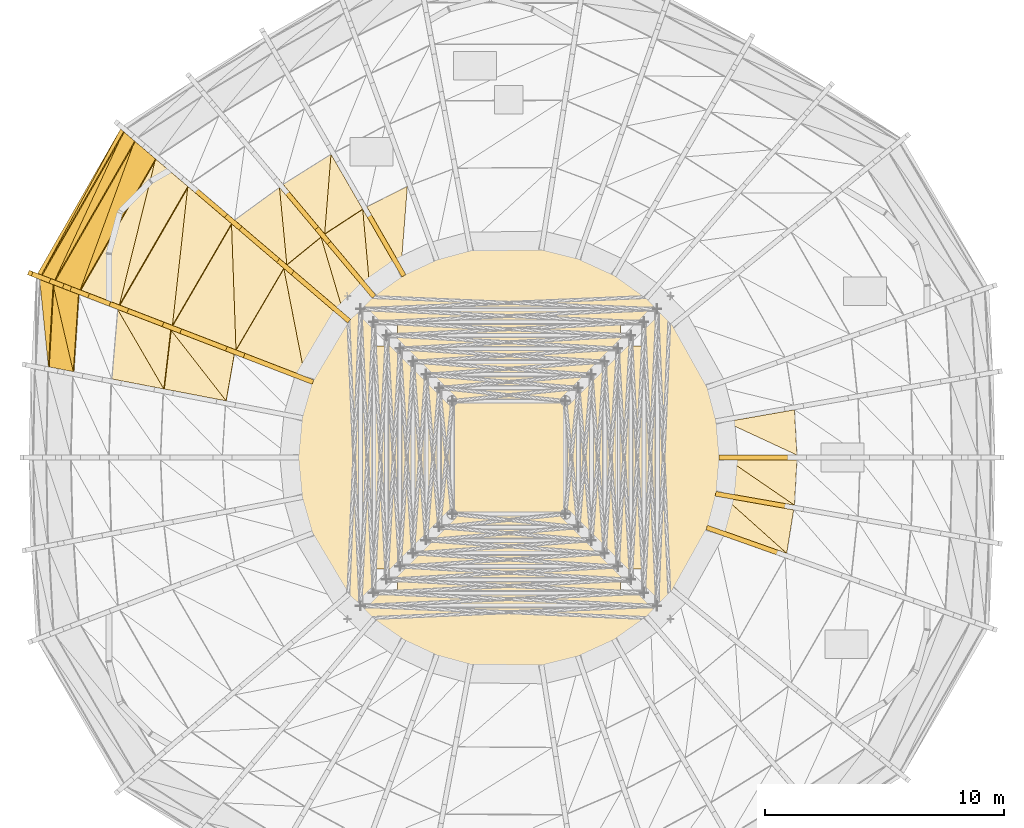
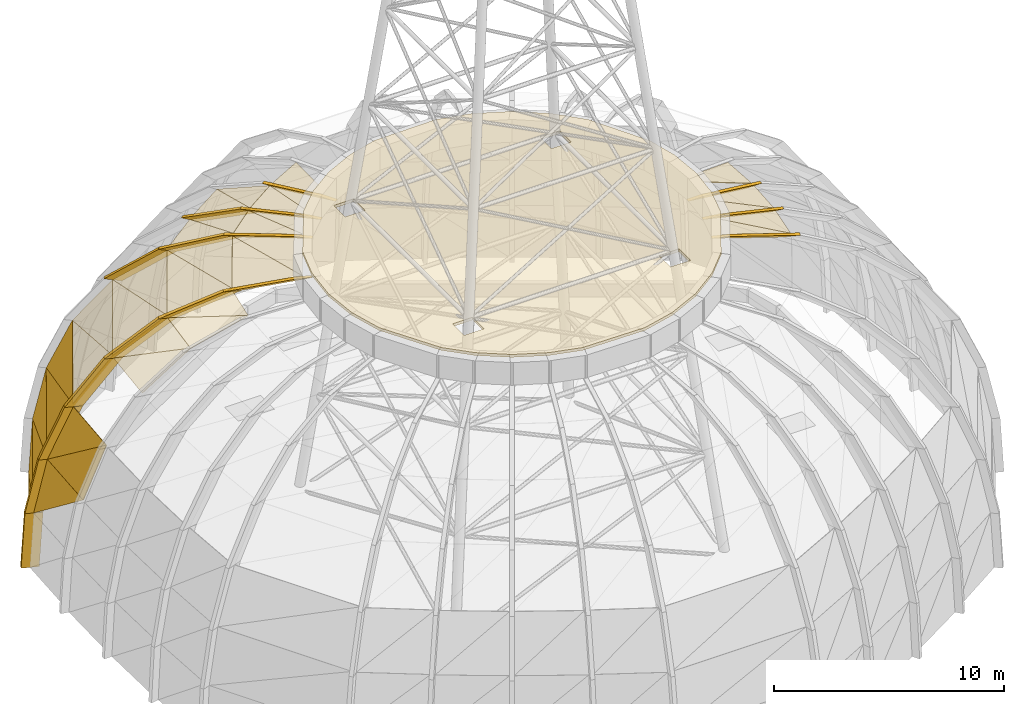
# One storey, part 21 of 27: 36 coverings, 16 shading devices.
"""IFC4 building model written with IfcOpenShell, lengths in metres."""

import ifcopenshell
import ifcopenshell.guid

model = None  # the IFC model being written
_history = None  # IfcOwnerHistory: only IFC2X3 demands one
_inside = {}  # id of a spatial element -> (the spatial element, [elements in it])
_under = {}  # id of a project, library or spatial element -> (it, [spatial elements below it])
_declared = {}  # id of a project -> (the project, [libraries it declares])
_typed = {}  # id of a type object -> (the type object, [elements of that type])
_made_of = {}  # id of a material, layer set ... -> (it, [elements and type objects made of it])


def new_model(schema):
    """Start an empty IFC model of exactly this schema.

    Asked for "IFC4X3", IfcOpenShell would pick the latest addendum, in which some entities
    have other attributes; the version numbers below select the first issue.
    IFC2X3 requires an IfcOwnerHistory on every rooted entity: one is made here for all.
    """
    global model, _history
    if schema == "IFC4X3":
        model = ifcopenshell.file(schema_version=(4, 3, 0, 0))
    else:
        model = ifcopenshell.file(schema=schema)
    _inside.clear()
    _under.clear()
    _declared.clear()
    _typed.clear()
    _made_of.clear()
    _history = None
    if model.schema == "IFC2X3":
        org = make("IfcOrganization", Name="unknown")
        user = make(
            "IfcPersonAndOrganization",
            ThePerson=make("IfcPerson", FamilyName="unknown"),
            TheOrganization=org,
        )
        app = make(
            "IfcApplication",
            ApplicationDeveloper=org,
            Version="unknown",
            ApplicationFullName="unknown",
            ApplicationIdentifier="unknown",
        )
        _history = make(
            "IfcOwnerHistory",
            OwningUser=user,
            OwningApplication=app,
            ChangeAction="ADDED",
            CreationDate=0,
        )
    return model


def make(cls, **values):
    """One entity of the class cls with the attributes given. An attribute that is None is left unset."""
    return model.create_entity(
        cls, **{name: value for name, value in values.items() if value is not None}
    )


def rooted(cls, **values):
    """An entity with a GlobalId (a new one), such as an element, a storey or a relation."""
    return make(cls, GlobalId=ifcopenshell.guid.new(), OwnerHistory=_history, **values)


def si_unit(unit_type, name, prefix=None):
    """IfcSIUnit, for example si_unit("LENGTHUNIT", "METRE", prefix="MILLI")."""
    return make("IfcSIUnit", UnitType=unit_type, Prefix=prefix, Name=name)


def assignment(units):
    """IfcUnitAssignment: the units of a project."""
    return None if units is None else make("IfcUnitAssignment", Units=units)


def point(xyz):
    """IfcCartesianPoint."""
    return None if xyz is None else make("IfcCartesianPoint", Coordinates=xyz)


def direction(xyz):
    """IfcDirection."""
    return None if xyz is None else make("IfcDirection", DirectionRatios=xyz)


def frame(location, z_axis=None, x_axis=None):
    """IfcAxis2Placement3D, a coordinate frame: its origin and axes. An axis left out is left unset."""
    return make(
        "IfcAxis2Placement3D",
        Location=point(location),
        Axis=direction(z_axis),
        RefDirection=direction(x_axis),
    )


def origin():
    """The frame at (0, 0, 0) with its axes left unset."""
    return frame((0.0, 0.0, 0.0))


def place(relative_to, where):
    """IfcLocalPlacement: puts the frame where relative to a parent placement (None: the world)."""
    return make(
        "IfcLocalPlacement", PlacementRelTo=relative_to, RelativePlacement=where
    )


def context(
    kind, dimensions, precision=None, world=None, true_north=None, identifier=None
):
    """IfcGeometricRepresentationContext, for example the 3D "Model" context."""
    return make(
        "IfcGeometricRepresentationContext",
        ContextIdentifier=identifier,
        ContextType=kind,
        CoordinateSpaceDimension=dimensions,
        Precision=precision,
        WorldCoordinateSystem=world,
        TrueNorth=true_north,
    )


def subcontext(parent, identifier, kind, view, scale=None):
    """IfcGeometricRepresentationSubContext, for example "Body" below "Model"."""
    return make(
        "IfcGeometricRepresentationSubContext",
        ContextIdentifier=identifier,
        ContextType=kind,
        ParentContext=parent,
        TargetScale=scale,
        TargetView=view,
    )


def project(units=None, contexts=None):
    """IfcProject with its units and contexts."""
    return rooted(
        "IfcProject",
        Name="project",
        RepresentationContexts=contexts,
        UnitsInContext=assignment(units),
    )


def spatial(cls, under=None, at=None, **own):
    """A site, building, storey or space (cls), placed at a placement, below another one or the project."""
    s = rooted(cls, ObjectPlacement=at, **own)
    if under is not None:
        _under.setdefault(under.id(), (under, []))[1].append(s)
    return s


def polyline(points):
    """IfcPolyline through the points."""
    return make("IfcPolyline", Points=[point(p) for p in points])


def outline(outer, holes=None, kind="AREA"):
    """IfcArbitraryClosedProfileDef: a profile drawn as a closed curve; with holes, ...WithVoids."""
    if holes is None:
        return make("IfcArbitraryClosedProfileDef", ProfileType=kind, OuterCurve=outer)
    return make(
        "IfcArbitraryProfileDefWithVoids",
        ProfileType=kind,
        OuterCurve=outer,
        InnerCurves=holes,
    )


def extrude(swept, where, along, depth):
    """IfcExtrudedAreaSolid: the profile swept, set in the frame where, extruded along a direction by depth."""
    return make(
        "IfcExtrudedAreaSolid",
        SweptArea=swept,
        Position=where,
        ExtrudedDirection=direction(along),
        Depth=depth,
    )


def shape(context_of_items, identifier, shape_type, items):
    """IfcShapeRepresentation: the items that make up one representation, for example the "Body"."""
    return make(
        "IfcShapeRepresentation",
        ContextOfItems=context_of_items,
        RepresentationIdentifier=identifier,
        RepresentationType=shape_type,
        Items=items,
    )


def material(Name=None, Category=None):
    """IfcMaterial."""
    return make("IfcMaterial", Name=Name, Category=Category)


def layer(
    of_material, thickness, ventilated=None, Name=None, Category=None, Priority=None
):
    """IfcMaterialLayer: one layer of a wall or slab, of a material (None: an air gap)."""
    return make(
        "IfcMaterialLayer",
        Material=of_material,
        LayerThickness=thickness,
        IsVentilated=ventilated,
        Name=Name,
        Category=Category,
        Priority=Priority,
    )


def layer_set(layers, Name=None):
    """IfcMaterialLayerSet."""
    return make("IfcMaterialLayerSet", MaterialLayers=layers, LayerSetName=Name)


def made_of(thing, what):
    """Note that an element or type object is made of a material, layer set ...; save() writes the relation."""
    if what is not None:
        _made_of.setdefault(what.id(), (what, []))[1].append(thing)
    return thing


def type_object(cls, material=None, **own):
    """A type object (cls), such as IfcWallType, which elements share."""
    return made_of(rooted(cls, **own), material)


def element(
    cls,
    number,
    at=None,
    inside=None,
    cuts=None,
    type_object=None,
    material=None,
    context=None,
    identifier="Body",
    shape_type=None,
    held_by="IfcProductDefinitionShape",
    body=None,
    shapes=None,
    **own,
):
    """One element of the class cls, such as IfcWall. Its Tag is "e" and its number.

    at: its placement. inside: the storey or other place that contains it. cuts: it is an
    opening in that element (IfcRelVoidsElement). A single representation is given by context,
    identifier, shape_type and body (its items); several are given by shapes. held_by: the class
    of the entity that holds the representations. save() writes the other relations.
    """
    e = rooted(cls, Tag="e%d" % number, ObjectPlacement=at, **own)
    if body is not None:
        shapes = [shape(context, identifier, shape_type, body)]
    if shapes is not None:
        e.Representation = make(held_by, Representations=shapes)
    if inside is not None:
        _inside.setdefault(inside.id(), (inside, []))[1].append(e)
    if cuts is not None:
        rooted(
            "IfcRelVoidsElement", RelatingBuildingElement=cuts, RelatedOpeningElement=e
        )
    if type_object is not None:
        _typed.setdefault(type_object.id(), (type_object, []))[1].append(e)
    return made_of(e, material)


def aggregate(whole, parts):
    """IfcRelAggregates: a whole, such as a stair, and the parts it consists of."""
    return rooted("IfcRelAggregates", RelatingObject=whole, RelatedObjects=parts)


def save(model, path):
    """Write the relations noted so far, then the file.

    IfcRelAggregates (storeys below a building ...), IfcRelContainedInSpatialStructure (elements
    in a storey), IfcRelDefinesByType, IfcRelAssociatesMaterial and IfcRelDeclares: one each for
    every whole, place, type object, material and project.
    """
    for whole, parts in _under.values():
        aggregate(whole, parts)
    for where, things in _inside.values():
        rooted(
            "IfcRelContainedInSpatialStructure",
            RelatedElements=things,
            RelatingStructure=where,
        )
    for kind, things in _typed.values():
        rooted("IfcRelDefinesByType", RelatedObjects=things, RelatingType=kind)
    for what, things in _made_of.values():
        rooted("IfcRelAssociatesMaterial", RelatedObjects=things, RelatingMaterial=what)
    for by, libraries in _declared.values():
        rooted("IfcRelDeclares", RelatingContext=by, RelatedDefinitions=libraries)
    model.write(path)


model = new_model("IFC4")

# Units and contexts
model_context = context("Model", 3, precision=1e-05, world=origin(), true_north=direction((0.0, 1.0)))
body_context = subcontext(model_context, "Body", "Model", "MODEL_VIEW")
ifc_project = project(units=[si_unit("LENGTHUNIT", "METRE"), si_unit("AREAUNIT", "SQUARE_METRE"), si_unit("VOLUMEUNIT", "CUBIC_METRE"), si_unit("PLANEANGLEUNIT", "RADIAN"), si_unit("MASSUNIT", "GRAM", prefix="KILO")], contexts=[model_context])

# Site, building, storey
site_placement = place(None, origin())
site = spatial("IfcSite", under=ifc_project, at=site_placement, CompositionType="ELEMENT")
building_placement = place(site_placement, origin())
building = spatial("IfcBuilding", under=site, at=building_placement, Name="Ayvan Gate Tower", CompositionType="ELEMENT")
storey_placement = place(building_placement, frame((0.0, 0.0, 267.699951171875)))
storey = spatial("IfcBuildingStorey", under=building, at=storey_placement, Name="Roof", CompositionType="ELEMENT", Elevation=267.699951171875)

# Shading devices
ifc_material_1 = material(Name="Bronze anodised aluminium", Category="aluminium")
ifc_layer_1 = layer(ifc_material_1, 0.199951171875)
ifc_layer_set_1 = layer_set([ifc_layer_1], Name="Bronze anodised aluminium")
shading_device_type = type_object("IfcShadingDeviceType", Name="Crown frame rib 800 x 200", PredefinedType="USERDEFINED", material=ifc_layer_set_1)
shading_device_1_placement = place(storey_placement, frame((-5.751708984375, 10.161865234375, 13.673095703125), z_axis=(0.866019519209, 0.499990479994, 0.004439849528), x_axis=(-0.499995405783, 0.86602805624, -5.86703e-07)))
element("IfcShadingDevice", 1, at=shading_device_1_placement, inside=storey, type_object=shading_device_type, Name="CROWN FRAME rib FD07.3.3", ObjectType="FIN", PredefinedType="USERDEFINED", context=body_context, shape_type="SweptSolid", body=[
    extrude(outline(polyline([(0.0, 0.0), (0.7999951411823358, 0.0), (-2.076263670003828, 0.3269063007715082), (-2.876380880377029, 0.3269053619708239), (0.0, 0.0)])), origin(), (0.0, 0.0, -1.0), 0.199951171875),
])
shading_device_2_placement = place(storey_placement, frame((-9.201171875, 11.138427734375, 12.552978515625), z_axis=(0.766415699513, 0.642342429162, 0.00178304159), x_axis=(-0.642343450529, 0.766416917586, 2.08532e-07)))
element("IfcShadingDevice", 2, at=shading_device_2_placement, inside=storey, type_object=shading_device_type, Name="CROWN FRAME rib FD06.3.4", ObjectType="FIN", PredefinedType="USERDEFINED", context=body_context, shape_type="SweptSolid", body=[
    extrude(outline(polyline([(0.0, 0.0), (0.7999525984918686, 0.0), (-1.9096142537914247, 1.1201193662788065), (-2.7094100301518163, 1.1201196998772662), (0.0, 0.0)])), origin(), (0.0, 0.0, -1.0), 0.199951171875),
])
shading_device_3_placement = place(storey_placement, frame((-7.461181640625, 9.0615234375, 13.673095703125), z_axis=(0.766480895989, 0.6422444465, 0.005395092626), x_axis=(-0.642253793616, 0.766492051221, 0.0)))
element("IfcShadingDevice", 3, at=shading_device_3_placement, inside=storey, type_object=shading_device_type, Name="CROWN FRAME rib FD07.3.4", ObjectType="FIN", PredefinedType="USERDEFINED", context=body_context, shape_type="SweptSolid", body=[
    extrude(outline(polyline([(0.0, 0.0), (0.7997957818323822, 4.336808689942018e-19), (-2.137681256967476, 0.3269090545845421), (-2.937477038799858, 0.3269090545845421), (0.0, 0.0)])), origin(), (0.0, 0.0, -1.0), 0.199951171875),
])
shading_device_4_placement = place(storey_placement, frame((-13.013671875, 11.248046875, 10.68701171875), z_axis=(0.64947089541, 0.760385939094, 0.00088297498), x_axis=(-0.76038623545, 0.649471148657, -1.02423e-07)))
element("IfcShadingDevice", 4, at=shading_device_4_placement, inside=storey, type_object=shading_device_type, Name="CROWN FRAME rib FD05.3.5", ObjectType="FIN", PredefinedType="USERDEFINED", context=body_context, shape_type="SweptSolid", body=[
    extrude(outline(polyline([(0.0, 0.0), (0.8001969175372762, -5.421010862427522e-20), (-1.6035691830142307, 1.8659673600293685), (-2.4036075382593545, 1.8659671961290998), (0.0, 0.0)])), origin(), (0.0, 0.0, -1.0), 0.199951171875),
])
shading_device_5_placement = place(storey_placement, frame((-11.18603515625, 9.686767578125, 12.552978515625), z_axis=(0.649546053075, 0.760321348948, 0.001171011737), x_axis=(-0.760321870236, 0.649546498444, -1.9789e-08)))
element("IfcShadingDevice", 5, at=shading_device_5_placement, inside=storey, type_object=shading_device_type, Name="CROWN FRAME rib FD06.3.5", ObjectType="FIN", PredefinedType="USERDEFINED", context=body_context, shape_type="SweptSolid", body=[
    extrude(outline(polyline([(0.0, 0.0), (0.8001969228064789, -1.0842021724855044e-19), (-2.0773640104077593, 1.120117914383122), (-2.877216727069541, 1.120117882720192), (0.0, 0.0)])), origin(), (0.0, 0.0, -1.0), 0.199951171875),
])
shading_device_6_placement = place(storey_placement, frame((-8.998291015625, 7.81787109375, 13.673095703125), z_axis=(0.649708853084, 0.760180720071, 0.001918086872), x_axis=(-0.760182118449, 0.649710048245, 0.0)))
element("IfcShadingDevice", 6, at=shading_device_6_placement, inside=storey, type_object=shading_device_type, Name="CROWN FRAME rib FD07.3.5", ObjectType="FIN", PredefinedType="USERDEFINED", context=body_context, shape_type="SweptSolid", body=[
    extrude(outline(polyline([(0.0, 0.0), (0.8000113158617801, 1.0842021724855044e-19), (-2.3196373596759, 0.326904898226471), (-3.1196486755376807, 0.326904898226471), (0.0, 0.0)])), origin(), (0.0, 0.0, -1.0), 0.199951171875),
])
shading_device_7_placement = place(storey_placement, frame((-19.361572265625, 7.562744140625, 0.0), z_axis=(0.359520933889, 0.933136889104, 0.000494256106), x_axis=(-0.933137003077, 0.359520977815, -2.712e-08)))
element("IfcShadingDevice", 7, at=shading_device_7_placement, inside=storey, type_object=shading_device_type, Name="CROWN FRAME rib FD01.4.1", ObjectType="FIN", PredefinedType="USERDEFINED", context=body_context, shape_type="SweptSolid", body=[
    extrude(outline(polyline([(0.0, 0.0), (0.7998328931326928, 0.0), (0.631823418480095, 2.870117555204184), (-0.16823729130373938, 2.87011751181533), (0.0, 0.0)])), origin(), (0.0, 0.0, -1.0), 0.199951171875),
])
shading_device_8_placement = place(storey_placement, frame((-19.20458984375, 7.50244140625, 2.8701171875), z_axis=(0.359336866882, 0.933207761295, 0.000538848946), x_axis=(-0.933207896792, 0.359336919012, 7.6733e-08)))
element("IfcShadingDevice", 8, at=shading_device_8_placement, inside=storey, type_object=shading_device_type, Name="CROWN FRAME rib FD02.4.1", ObjectType="FIN", PredefinedType="USERDEFINED", context=body_context, shape_type="SweptSolid", body=[
    extrude(outline(polyline([(0.0, 0.0), (0.7999729741374697, -2.710505431213761e-20), (0.19955906896444114, 2.7768558565787593), (-0.6005016339130217, 2.77685597935358), (0.0, 0.0)])), origin(), (0.0, 0.0, -1.0), 0.199951171875),
])
shading_device_9_placement = place(storey_placement, frame((-18.64404296875, 7.28662109375, 5.64697265625), z_axis=(0.359255119818, 0.933239191881, 0.000607965841), x_axis=(-0.933239364361, 0.359255186193, 3.3329e-08)))
element("IfcShadingDevice", 9, at=shading_device_9_placement, inside=storey, type_object=shading_device_type, Name="CROWN FRAME rib FD03.4.1", ObjectType="FIN", PredefinedType="USERDEFINED", context=body_context, shape_type="SweptSolid", body=[
    extrude(outline(polyline([(0.0, 0.0), (0.7999729810463703, -5.421010862427522e-20), (-0.3396633245306647, 2.6601567529473917), (-1.1394084639353452, 2.660156806263744), (0.0, 0.0)])), origin(), (0.0, 0.0, -1.0), 0.199951171875),
])
shading_device_10_placement = place(storey_placement, frame((-17.58056640625, 6.876953125, 8.30712890625), z_axis=(0.359336850192, 0.933207717951, 0.000619072928), x_axis=(-0.933207896758, 0.359336919101, -8.8147e-08)))
element("IfcShadingDevice", 10, at=shading_device_10_placement, inside=storey, type_object=shading_device_type, Name="CROWN FRAME rib FD04.4.1", ObjectType="FIN", PredefinedType="USERDEFINED", context=body_context, shape_type="SweptSolid", body=[
    extrude(outline(polyline([(0.0, 0.0), (0.8000607028774728, 0.0), (-0.9575529995420163, 2.3798831841413333), (-1.7575259736794742, 2.3798830431032303), (0.0, 0.0)])), origin(), (0.0, 0.0, -1.0), 0.199951171875),
])
shading_device_11_placement = place(storey_placement, frame((-15.9404296875, 6.245361328125, 10.68701171875), z_axis=(0.359336800623, 0.93320758922, 0.0008118748), x_axis=(-0.933207896744, 0.359336919138, -1.15599e-07)))
element("IfcShadingDevice", 11, at=shading_device_11_placement, inside=storey, type_object=shading_device_type, Name="CROWN FRAME rib FD05.4.1", ObjectType="FIN", PredefinedType="USERDEFINED", context=body_context, shape_type="SweptSolid", body=[
    extrude(outline(polyline([(0.0, 0.0), (0.8000607028774751, 0.0), (-1.580472916842678, 1.8659672291413365), (-2.380445890980129, 1.8659670441788276), (0.0, 0.0)])), origin(), (0.0, 0.0, -1.0), 0.199951171875),
])
shading_device_12_placement = place(storey_placement, frame((-13.718994140625, 5.389892578125, 12.552978515625), z_axis=(0.359469634722, 0.933156318318, 0.000931287093), x_axis=(-0.93315672298, 0.359469790605, 0.0)))
element("IfcShadingDevice", 12, at=shading_device_12_placement, inside=storey, type_object=shading_device_type, Name="CROWN FRAME rib FD06.4.1", ObjectType="FIN", PredefinedType="USERDEFINED", context=body_context, shape_type="SweptSolid", body=[
    extrude(outline(polyline([(0.0, 0.0), (0.8000607109875282, 0.0), (-2.049739823805927, 1.1201176732366978), (-2.8498005347934554, 1.1201176732366978), (0.0, 0.0)])), origin(), (0.0, 0.0, -1.0), 0.199951171875),
])
shading_device_13_placement = place(storey_placement, frame((-11.0595703125, 4.365966796875, 13.673095703125), z_axis=(0.359332926849, 0.933197528922, 0.004713777228), x_axis=(-0.933207897914, 0.359336916097, 6.71239e-07)))
element("IfcShadingDevice", 13, at=shading_device_13_placement, inside=storey, type_object=shading_device_type, Name="CROWN FRAME rib FD07.4.1", ObjectType="FIN", PredefinedType="USERDEFINED", context=body_context, shape_type="SweptSolid", body=[
    extrude(outline(polyline([(0.0, 0.0), (0.7999729741376476, 0.0), (-2.289719149585775, 0.32690946575915975), (-3.0897798524627045, 0.3269105397765758), (0.0, 0.0)])), origin(), (0.0, 0.0, -1.0), 0.199951171875),
])
shading_device_14_placement = place(storey_placement, frame((11.202880859375, -4.072265625, 13.673095703125), z_axis=(-0.333701500904, -0.942664779416, 0.005140227867), x_axis=(0.942677234448, -0.333705905929, 7.39396e-07)))
element("IfcShadingDevice", 14, at=shading_device_14_placement, inside=storey, type_object=shading_device_type, Name="CROWN FRAME rib FD07.1.1", ObjectType="FIN", PredefinedType="USERDEFINED", context=body_context, shape_type="SweptSolid", body=[
    extrude(outline(polyline([(0.0, 0.0), (0.7999683916972546, 0.0), (-2.3195592359223536, 0.3269103307785726), (-3.119609098788048, 0.32691151384071304), (0.0, 0.0)])), origin(), (0.0, 0.0, -1.0), 0.199951171875),
])
shading_device_15_placement = place(storey_placement, frame((11.54345703125, -2.127685546875, 13.673095703125), z_axis=(-0.173027136666, -0.984911964002, 0.003167513806), x_axis=(0.984916904875, -0.173028004936, -8.3638e-08)))
element("IfcShadingDevice", 15, at=shading_device_15_placement, inside=storey, type_object=shading_device_type, Name="CROWN FRAME rib FD07.1.2", ObjectType="FIN", PredefinedType="USERDEFINED", context=body_context, shape_type="SweptSolid", body=[
    extrude(outline(polyline([(0.0, 0.0), (0.7999105788157247, -1.0842021724855044e-19), (-2.1373982434857695, 0.3269057580585662), (-2.9375492805302232, 0.3269056242326458), (0.0, 0.0)])), origin(), (0.0, 0.0, -1.0), 0.199951171875),
])
shading_device_16_placement = place(storey_placement, frame((11.67626953125, -0.099853515625, 13.673095703125), z_axis=(0.0, -0.999989960668, 0.004480910951), x_axis=(1.0, 0.0, 0.0)))
element("IfcShadingDevice", 16, at=shading_device_16_placement, inside=storey, type_object=shading_device_type, Name="CROWN FRAME rib FD07.1.3", ObjectType="FIN", PredefinedType="USERDEFINED", context=body_context, shape_type="SweptSolid", body=[
    extrude(outline(polyline([(0.0, 0.0), (0.800048828125, 0.0), (-2.076171875, 0.326907578808675), (-2.876220703125, 0.326907578808675), (0.0, 0.0)])), origin(), (0.0, 0.0, -1.0), 0.199951171875),
])

# Coverings
ifc_material_2 = material(Name="Pale metal cladding")
ifc_layer_2 = layer(ifc_material_2, 0.14990234375)
ifc_layer_set_2 = layer_set([ifc_layer_2], Name="Pale metal cladding")
covering_type_1 = type_object("IfcCoveringType", Name="Crown roof cap 150", PredefinedType="CLADDING", material=ifc_layer_set_2)
covering_1_placement = place(storey_placement, frame((0.0, 0.0, 15.199951171875)))
element("IfcCovering", 17, at=covering_1_placement, inside=storey, type_object=covering_type_1, Name="Crown roof cap", PredefinedType="CLADDING", context=body_context, shape_type="SweptSolid", body=[
    extrude(outline(polyline([(-9.199951171875, 0.0), (-9.035400390625, -1.73291015625), (-8.58544921875, -3.30615234375), (-6.9951171875, -5.9755859375), (-5.908203125, -7.05224609375), (-4.60009765625, -7.967529296875), (-3.1533203125, -8.642822265625), (-1.67724609375, -9.0458984375), (1.4296875, -9.088134765625), (3.01708984375, -8.691162109375), (4.60009765625, -7.96728515625), (6.018310546875, -6.95849609375), (7.156005859375, -5.781982421875), (8.672607421875, -3.0703125), (9.0615234375, -1.590576171875), (9.199951171875, 0.0), (9.061279296875, 1.590576171875), (8.672607421875, 3.0703125), (7.156005859375, 5.7822265625), (6.018310546875, 6.95849609375), (4.599853515625, 7.967529296875), (3.016845703125, 8.69140625), (1.429443359375, 9.08837890625), (-1.67724609375, 9.0458984375), (-3.1533203125, 8.642578125), (-4.60009765625, 7.96728515625), (-5.908203125, 7.052001953125), (-6.995361328125, 5.9755859375), (-8.58544921875, 3.30615234375), (-9.035400390625, 1.73291015625), (-9.199951171875, 0.0)]), holes=[polyline([(4.670654296875, 4.670654296875), (5.670654296875, 4.670654296875), (5.670654296875, 5.670654296875), (4.670654296875, 5.670654296875), (4.670654296875, 4.670654296875)]), polyline([(-5.670654296875, 4.670654296875), (-4.670654296875, 4.670654296875), (-4.670654296875, 5.670654296875), (-5.670654296875, 5.670654296875), (-5.670654296875, 4.670654296875)]), polyline([(-5.670654296875, -5.670654296875), (-4.670654296875, -5.670654296875), (-4.670654296875, -4.670654296875), (-5.670654296875, -4.670654296875), (-5.670654296875, -5.670654296875)]), polyline([(4.670654296875, -5.670654296875), (5.670654296875, -5.670654296875), (5.670654296875, -4.670654296875), (4.670654296875, -4.670654296875), (4.670654296875, -5.670654296875)])]), origin(), (0.0, 0.0, 1.0), 0.150146484375),
])
ifc_layer_3 = layer(ifc_material_2, 0.0400390625)
ifc_layer_set_3 = layer_set([ifc_layer_3], Name="Pale metal cladding")
covering_type_2 = type_object("IfcCoveringType", Name="Dome cladding panel 40", PredefinedType="CLADDING", material=ifc_layer_set_3)
covering_2_placement = place(storey_placement, frame((11.64892578125, -4.017333984375, 13.69287109375), z_axis=(0.10922869565, -0.017450218178, 0.993863462419), x_axis=(0.157758022836, 0.987477800374, 0.0)))
element("IfcCovering", 18, at=covering_2_placement, inside=storey, type_object=covering_type_2, Name="Dome cladding panel 14.7A", PredefinedType="CLADDING", context=body_context, shape_type="SweptSolid", body=[
    extrude(outline(polyline([(0.0, 0.0), (1.8431486345174786, 0.0), (1.8884003371405096, 2.9553656581658942), (0.0, 0.0)])), origin(), (0.0, 0.0, -1.0), 0.0400390625),
])
covering_3_placement = place(storey_placement, frame((11.648681640625, -4.017578125, 13.69287109375), z_axis=(0.101149873099, -0.026572946556, 0.994516255113), x_axis=(-0.742062403376, 0.66381867529, 0.093210277497)))
element("IfcCovering", 19, at=covering_3_placement, inside=storey, type_object=covering_type_2, Name="Dome cladding panel 14.7B", PredefinedType="CLADDING", context=body_context, shape_type="SweptSolid", body=[
    extrude(outline(polyline([(0.0, 0.0), (3.507170085236631, -3.694961003830599e-16), (2.9036799418149934, 1.186079807487715), (0.0, 0.0)])), origin(), (0.0, 0.0, -1.0), 0.0400390625),
])
covering_4_placement = place(storey_placement, frame((11.97412109375, -2.000244140625, 13.69287109375), z_axis=(0.112918864212, -0.006209594486, 0.993584808178), x_axis=(0.054908686968, 0.998491380081, 0.0)))
element("IfcCovering", 20, at=covering_4_placement, inside=storey, type_object=covering_type_2, Name="Dome cladding panel 15.7A", PredefinedType="CLADDING", context=body_context, shape_type="SweptSolid", body=[
    extrude(outline(polyline([(0.0, 0.0), (1.903017414353113, -1.3877787807814457e-17), (1.7450745066722315, 2.8906695512559644), (0.0, 0.0)])), origin(), (0.0, 0.0, -1.0), 0.0400390625),
])
covering_5_placement = place(storey_placement, frame((11.97412109375, -2.000244140625, 13.69287109375), z_axis=(0.110608638351, -0.009619828971, 0.993817482243), x_axis=(-0.820942241884, 0.562743832005, 0.096815365676)))
element("IfcCovering", 21, at=covering_5_placement, inside=storey, type_object=covering_type_2, Name="Dome cladding panel 15.7B", PredefinedType="CLADDING", context=body_context, shape_type="SweptSolid", body=[
    extrude(outline(polyline([(0.0, 0.0), (3.376574519893748, -1.1102230246251565e-16), (2.692458132699098, 1.218705210092402), (0.0, 0.0)])), origin(), (0.0, 0.0, -1.0), 0.0400390625),
])
covering_6_placement = place(storey_placement, frame((12.07861328125, 0.100341796875, 13.69287109375), z_axis=(0.111218936102, 0.006116898567, 0.993777103683), x_axis=(-0.054915721549, 0.998490993213, 0.0)))
element("IfcCovering", 22, at=covering_6_placement, inside=storey, type_object=covering_type_2, Name="Dome cladding panel 16.7A", PredefinedType="CLADDING", context=body_context, shape_type="SweptSolid", body=[
    extrude(outline(polyline([(0.0, 0.0), (1.902773642090745, -1.3877787807814457e-17), (1.5546022637886032, 2.934850912188738), (0.0, 0.0)])), origin(), (0.0, 0.0, -1.0), 0.0400390625),
])
covering_7_placement = place(storey_placement, frame((-4.2548828125, 11.369873046875, 13.69287109375), z_axis=(-0.051087073224, 0.100897332348, 0.993584339286), x_axis=(-0.892157812633, -0.451723850774, 0.0)))
element("IfcCovering", 23, at=covering_7_placement, inside=storey, type_object=covering_type_2, Name="Dome cladding panel 25.7A", PredefinedType="CLADDING", context=body_context, shape_type="SweptSolid", body=[
    extrude(outline(polyline([(0.0, 0.0), (1.902974879791112, 1.1102230246251565e-16), (1.7450737018672255, 2.8905642562987097), (0.0, 0.0)])), origin(), (0.0, 0.0, -1.0), 0.0400390625),
])
covering_8_placement = place(storey_placement, frame((-7.45556640625, 12.712646484375, 12.571533203125), z_axis=(-0.204943698558, 0.326061219212, 0.922866275117), x_axis=(-0.846647157545, -0.53215466795, 0.0)))
element("IfcCovering", 24, at=covering_8_placement, inside=storey, type_object=covering_type_2, Name="Dome cladding panel 26.6A", PredefinedType="CLADDING", context=body_context, shape_type="SweptSolid", body=[
    extrude(outline(polyline([(0.0, 0.0), (2.370044922483409, 0.0), (2.001991532286981, 2.908484594419312), (0.0, 0.0)])), origin(), (0.0, 0.0, -1.0), 0.0400390625),
])
covering_9_placement = place(storey_placement, frame((-7.45556640625, 12.712646484375, 12.5712890625), z_axis=(-0.212911883904, 0.326088466171, 0.92105094426), x_axis=(-0.075505277613, -0.945337138765, 0.31723279642)))
element("IfcCovering", 25, at=covering_9_placement, inside=storey, type_object=covering_type_2, Name="Dome cladding panel 26.6B", PredefinedType="CLADDING", context=body_context, shape_type="SweptSolid", body=[
    extrude(outline(polyline([(0.0, 0.0), (3.530899705644901, 0.0), (2.427181690512464, 1.5499930936008488), (0.0, 0.0)])), origin(), (0.0, 0.0, -1.0), 0.0400390625),
])
covering_10_placement = place(storey_placement, frame((-6.1259765625, 10.410400390625, 13.69287109375), z_axis=(-0.060892839033, 0.09326136295, 0.993777832483), x_axis=(-0.837322047833, -0.54670996718, 0.0)))
element("IfcCovering", 26, at=covering_10_placement, inside=storey, type_object=covering_type_2, Name="Dome cladding panel 26.7A", PredefinedType="CLADDING", context=body_context, shape_type="SweptSolid", body=[
    extrude(outline(polyline([(0.0, 0.0), (1.9028063609149024, 0.0), (1.5542513227547463, 2.9350222497998484), (0.0, 0.0)])), origin(), (0.0, 0.0, -1.0), 0.0400390625),
])
covering_11_placement = place(storey_placement, frame((-6.1259765625, 10.410400390625, 13.69287109375), z_axis=(-0.064973473974, 0.092875828387, 0.993555498289), x_axis=(0.088286492678, -0.991219872827, 0.098430985591)))
element("IfcCovering", 27, at=covering_11_placement, inside=storey, type_object=covering_type_2, Name="Dome cladding panel 26.7B", PredefinedType="CLADDING", context=body_context, shape_type="SweptSolid", body=[
    extrude(outline(polyline([(0.0, 0.0), (3.3211523272962116, -1.3877787807814457e-17), (2.6282497999314995, 1.2135062797289091), (0.0, 0.0)])), origin(), (0.0, 0.0, -1.0), 0.0400390625),
])
covering_12_placement = place(storey_placement, frame((-9.61572265625, 11.322509765625, 12.571533203125), z_axis=(-0.218838368297, 0.300210353372, 0.928430671773), x_axis=(-0.808090832975, -0.589057896698, 0.0)))
element("IfcCovering", 28, at=covering_12_placement, inside=storey, type_object=covering_type_2, Name="Dome cladding panel 27.6A", PredefinedType="CLADDING", context=body_context, shape_type="SweptSolid", body=[
    extrude(outline(polyline([(0.0, 0.0), (2.3251176394162587, 0.0), (1.6580564118774304, 3.0150740003124343), (0.0, 0.0)])), origin(), (0.0, 0.0, -1.0), 0.0400390625),
])
covering_13_placement = place(storey_placement, frame((-9.6162109375, 11.322265625, 12.571533203125), z_axis=(-0.240849419971, 0.296620813291, 0.924125343242), x_axis=(0.089825814882, -0.94125533983, 0.325529888372)))
element("IfcCovering", 29, at=covering_13_placement, inside=storey, type_object=covering_type_2, Name="Dome cladding panel 27.6B", PredefinedType="CLADDING", context=body_context, shape_type="SweptSolid", body=[
    extrude(outline(polyline([(0.0, 0.0), (3.440904284098568, 5.551115123125783e-17), (2.4758249234478313, 1.5703664974348044), (0.0, 0.0)])), origin(), (0.0, 0.0, -1.0), 0.0400390625),
])
covering_14_placement = place(storey_placement, frame((-7.87255859375, 9.2412109375, 13.69287109375), z_axis=(-0.06678777533, 0.082253236228, 0.994371056596), x_axis=(-0.776312486722, -0.6303482553, 0.0)))
element("IfcCovering", 30, at=covering_14_placement, inside=storey, type_object=covering_type_2, Name="Dome cladding panel 27.7A", PredefinedType="CLADDING", context=body_context, shape_type="SweptSolid", body=[
    extrude(outline(polyline([(0.0, 0.0), (1.8432116288206544, 0.0), (1.279096482879556, 3.085348361547597), (0.0, 0.0)])), origin(), (0.0, 0.0, -1.0), 0.0400390625),
])
covering_15_placement = place(storey_placement, frame((-7.872802734375, 9.240966796875, 13.69287109375), z_axis=(-0.078088020352, 0.078861773878, 0.993822459848), x_axis=(0.281713705063, -0.954493399252, 0.097876141951)))
element("IfcCovering", 31, at=covering_15_placement, inside=storey, type_object=covering_type_2, Name="Dome cladding panel 27.7B", PredefinedType="CLADDING", context=body_context, shape_type="SweptSolid", body=[
    extrude(outline(polyline([(0.0, 0.0), (3.3399793898494785, -2.42861286636753e-17), (2.7126832457035226, 1.1735398714685394), (0.0, 0.0)])), origin(), (0.0, 0.0, -1.0), 0.0400390625),
])
covering_16_placement = place(storey_placement, frame((-16.279541015625, 13.77001953125, 0.001220703125), z_axis=(-0.865956413068, 0.496768058862, 0.057801266089), x_axis=(-0.497599991705, -0.867406622211, 0.0)))
element("IfcCovering", 32, at=covering_16_placement, inside=storey, type_object=covering_type_2, Name="Dome cladding panel 28.1A", PredefinedType="CLADDING", context=body_context, shape_type="SweptSolid", body=[
    extrude(outline(polyline([(0.0, 0.0), (6.978810908137012, 0.0), (6.953003447448468, 2.8749237460333728), (0.0, 0.0)])), origin(), (0.0, 0.0, -1.0), 0.0400390625),
])
covering_17_placement = place(storey_placement, frame((-16.279541015625, 13.77001953125, 0.001220703125), z_axis=(-0.865888307312, 0.496855795696, 0.058066836868), x_axis=(-0.440684076851, -0.812577177859, 0.381465430194)))
element("IfcCovering", 33, at=covering_17_placement, inside=storey, type_object=covering_type_2, Name="Dome cladding panel 28.1B", PredefinedType="CLADDING", context=body_context, shape_type="SweptSolid", body=[
    extrude(outline(polyline([(0.0, 0.0), (7.523924739505098, 0.0), (1.1276051281969446, 2.644794252033917), (0.0, 0.0)])), origin(), (0.0, 0.0, -1.0), 0.0400390625),
])
covering_18_placement = place(storey_placement, frame((-16.14990234375, 13.659423828125, 2.874267578125), z_axis=(-0.848188456369, 0.486699435517, 0.209045454266), x_axis=(-0.49769555854, -0.867351791956, 0.0)))
element("IfcCovering", 34, at=covering_18_placement, inside=storey, type_object=covering_type_2, Name="Dome cladding panel 28.2A", PredefinedType="CLADDING", context=body_context, shape_type="SweptSolid", body=[
    extrude(outline(polyline([(0.0, 0.0), (6.921549046680008, 0.0), (6.829759491426386, 2.839593664282442), (0.0, 0.0)])), origin(), (0.0, 0.0, -1.0), 0.0400390625),
])
covering_19_placement = place(storey_placement, frame((-16.14990234375, 13.659423828125, 2.874267578125), z_axis=(-0.847891500911, 0.486895324818, 0.20979262464), x_axis=(-0.389949169588, -0.840829959885, 0.375425923048)))
element("IfcCovering", 35, at=covering_19_placement, inside=storey, type_object=covering_type_2, Name="Dome cladding panel 28.2B", PredefinedType="CLADDING", context=body_context, shape_type="SweptSolid", body=[
    extrude(outline(polyline([(0.0, 0.0), (7.3965469571254525, 0.0), (1.1938791850258554, 2.579364201082828), (0.0, 0.0)])), origin(), (0.0, 0.0, -1.0), 0.0400390625),
])
covering_20_placement = place(storey_placement, frame((-15.68798828125, 13.26513671875, 5.65478515625), z_axis=(-0.798568391301, 0.458571899652, 0.389872206325), x_axis=(-0.497977360327, -0.867190030271, 0.0)))
element("IfcCovering", 36, at=covering_20_placement, inside=storey, type_object=covering_type_2, Name="Dome cladding panel 28.3A", PredefinedType="CLADDING", context=body_context, shape_type="SweptSolid", body=[
    extrude(outline(polyline([(0.0, 0.0), (6.7176042733157955, -2.220446049250313e-16), (6.543277000173319, 2.8887456654851666), (0.0, 0.0)])), origin(), (0.0, 0.0, -1.0), 0.0400390625),
])
covering_21_placement = place(storey_placement, frame((-15.68798828125, 13.26513671875, 5.65478515625), z_axis=(-0.797704702492, 0.458862968379, 0.391295264312), x_axis=(-0.319009358725, -0.871729083294, 0.371915896925)))
element("IfcCovering", 37, at=covering_21_placement, inside=storey, type_object=covering_type_2, Name="Dome cladding panel 28.3B", PredefinedType="CLADDING", context=body_context, shape_type="SweptSolid", body=[
    extrude(outline(polyline([(0.0, 0.0), (7.152574740669019, -4.440892098500626e-16), (1.3616769519507979, 2.558587705119675), (0.0, 0.0)])), origin(), (0.0, 0.0, -1.0), 0.0400390625),
])
covering_22_placement = place(storey_placement, frame((-14.81103515625, 12.5166015625, 8.31884765625), z_axis=(-0.700215700593, 0.402784456298, 0.589459629158), x_axis=(-0.498620369861, -0.86682046974, 0.0)))
element("IfcCovering", 38, at=covering_22_placement, inside=storey, type_object=covering_type_2, Name="Dome cladding panel 28.4A", PredefinedType="CLADDING", context=body_context, shape_type="SweptSolid", body=[
    extrude(outline(polyline([(0.0, 0.0), (6.330945288357114, 0.0), (6.060616409082404, 2.946136648618798), (0.0, 0.0)])), origin(), (0.0, 0.0, -1.0), 0.0400390625),
])
covering_23_placement = place(storey_placement, frame((-14.81103515625, 12.5166015625, 8.31884765625), z_axis=(-0.698528192517, 0.403068347029, 0.591264976032), x_axis=(-0.225056706421, -0.908088594082, 0.353163679039)))
element("IfcCovering", 39, at=covering_23_placement, inside=storey, type_object=covering_type_2, Name="Dome cladding panel 28.4B", PredefinedType="CLADDING", context=body_context, shape_type="SweptSolid", body=[
    extrude(outline(polyline([(0.0, 0.0), (6.738753030819106, 0.0), (1.583456391491182, 2.5111259305008824), (0.0, 0.0)])), origin(), (0.0, 0.0, -1.0), 0.0400390625),
])
covering_24_placement = place(storey_placement, frame((-13.45849609375, 11.362060546875, 10.70263671875), z_axis=(-0.538373386372, 0.310654993247, 0.783356605906), x_axis=(-0.499788795425, -0.866147308469, 0.0)))
element("IfcCovering", 40, at=covering_24_placement, inside=storey, type_object=covering_type_2, Name="Dome cladding panel 28.5A", PredefinedType="CLADDING", context=body_context, shape_type="SweptSolid", body=[
    extrude(outline(polyline([(0.0, 0.0), (5.734355838130357, 2.220446049250313e-16), (5.365069197336213, 3.00200968271545), (0.0, 0.0)])), origin(), (0.0, 0.0, -1.0), 0.0400390625),
])
covering_25_placement = place(storey_placement, frame((-13.45849609375, 11.362060546875, 10.70263671875), z_axis=(-0.535858192261, 0.310897843055, 0.784983139291), x_axis=(-0.104838521719, -0.947041312864, 0.30351546269)))
element("IfcCovering", 41, at=covering_25_placement, inside=storey, type_object=covering_type_2, Name="Dome cladding panel 28.5B", PredefinedType="CLADDING", context=body_context, shape_type="SweptSolid", body=[
    extrude(outline(polyline([(0.0, 0.0), (6.147847560514425, -2.220446049250313e-16), (1.8533390389439315, 2.413465457043066), (0.0, 0.0)])), origin(), (0.0, 0.0, -1.0), 0.0400390625),
])
covering_26_placement = place(storey_placement, frame((-11.62646484375, 9.79833984375, 12.571533203125), z_axis=(-0.319874063758, 0.185586705415, 0.929106107023), x_axis=(-0.501838979667, -0.864961061833, 0.0)))
element("IfcCovering", 42, at=covering_26_placement, inside=storey, type_object=covering_type_2, Name="Dome cladding panel 28.6A", PredefinedType="CLADDING", context=body_context, shape_type="SweptSolid", body=[
    extrude(outline(polyline([(0.0, 0.0), (4.926217509832638, 2.220446049250313e-16), (4.4772709004135764, 3.0288724896785424), (0.0, 0.0)])), origin(), (0.0, 0.0, -1.0), 0.0400390625),
])
covering_27_placement = place(storey_placement, frame((-11.62646484375, 9.79833984375, 12.571533203125), z_axis=(-0.317319708417, 0.185851558782, 0.929928707347), x_axis=(0.034641376223, -0.977681709387, 0.207215950601)))
element("IfcCovering", 43, at=covering_27_placement, inside=storey, type_object=covering_type_2, Name="Dome cladding panel 28.6B", PredefinedType="CLADDING", context=body_context, shape_type="SweptSolid", body=[
    extrude(outline(polyline([(0.0, 0.0), (5.405554853520746, 0.0), (2.1350869825260426, 2.2307247429876496), (0.0, 0.0)])), origin(), (0.0, 0.0, -1.0), 0.0400390625),
])
covering_28_placement = place(storey_placement, frame((-9.43408203125, 7.9267578125, 13.69287109375), z_axis=(-0.091985308297, 0.053875042988, 0.994301856983), x_axis=(-0.505388680139, -0.862891813606, 0.0)))
element("IfcCovering", 44, at=covering_28_placement, inside=storey, type_object=covering_type_2, Name="Dome cladding panel 28.7A", PredefinedType="CLADDING", context=body_context, shape_type="SweptSolid", body=[
    extrude(outline(polyline([(0.0, 0.0), (3.9587994359636287, -2.220446049250313e-16), (3.459725133190746, 3.0666097317934264), (0.0, 0.0)])), origin(), (0.0, 0.0, -1.0), 0.0400390625),
])
covering_29_placement = place(storey_placement, frame((-9.433837890625, 7.9267578125, 13.69287109375), z_axis=(-0.090829190172, 0.054107232427, 0.994395527751), x_axis=(0.19090071353, -0.979059261094, 0.070709835523)))
element("IfcCovering", 45, at=covering_29_placement, inside=storey, type_object=covering_type_2, Name="Dome cladding panel 28.7B", PredefinedType="CLADDING", context=body_context, shape_type="SweptSolid", body=[
    extrude(outline(polyline([(0.0, 0.0), (4.623179992641632, 4.163336342344337e-17), (2.459832218943834, 1.9462310351366479), (0.0, 0.0)])), origin(), (0.0, 0.0, -1.0), 0.0400390625),
])
covering_30_placement = place(storey_placement, frame((-19.669189453125, 7.460693359375, 2.874267578125), z_axis=(-0.977885953771, 0.055536489575, 0.201630255028), x_axis=(0.079155158394, -0.794094721561, 0.602617651657)))
element("IfcCovering", 46, at=covering_30_placement, inside=storey, type_object=covering_type_2, Name="Dome cladding panel 29.2B", PredefinedType="CLADDING", context=body_context, shape_type="SweptSolid", body=[
    extrude(outline(polyline([(0.0, 0.0), (4.6079889314803335, 0.0), (1.8891147442189906, 2.121954132147276), (0.0, 0.0)])), origin(), (0.0, 0.0, -1.0), 0.0400390625),
])
covering_31_placement = place(storey_placement, frame((-19.10791015625, 7.24462890625, 5.654296875), z_axis=(-0.928321808059, 0.05272162282, 0.36802044939), x_axis=(-0.056701031842, -0.998391202379, 0.0)))
element("IfcCovering", 47, at=covering_31_placement, inside=storey, type_object=covering_type_2, Name="Dome cladding panel 29.3A", PredefinedType="CLADDING", context=body_context, shape_type="SweptSolid", body=[
    extrude(outline(polyline([(0.0, 0.0), (3.4489079699367053, 0.0), (3.589629961364478, 2.8609438816334385), (0.0, 0.0)])), origin(), (0.0, 0.0, -1.0), 0.0400390625),
])
covering_32_placement = place(storey_placement, frame((-19.10791015625, 7.244873046875, 5.654541015625), z_axis=(-0.923476961626, 0.061625547979, 0.378672144714), x_axis=(0.184664295553, -0.793758625238, 0.579522512771)))
element("IfcCovering", 48, at=covering_32_placement, inside=storey, type_object=covering_type_2, Name="Dome cladding panel 29.3B", PredefinedType="CLADDING", context=body_context, shape_type="SweptSolid", body=[
    extrude(outline(polyline([(0.0, 0.0), (4.590255238369796, -4.440892098500626e-16), (2.0629902795662054, 2.0295597184741228), (0.0, 0.0)])), origin(), (0.0, 0.0, -1.0), 0.0400390625),
])
covering_33_placement = place(storey_placement, frame((-16.398681640625, 6.20361328125, 10.702392578125), z_axis=(-0.643372317394, 0.054603554613, 0.76360363608), x_axis=(-0.084566825203, -0.996417809995, 0.0)))
element("IfcCovering", 49, at=covering_33_placement, inside=storey, type_object=covering_type_2, Name="Dome cladding panel 29.5A", PredefinedType="CLADDING", context=body_context, shape_type="SweptSolid", body=[
    extrude(outline(polyline([(0.0, 0.0), (2.921598533565659, 0.0), (3.1537820806734826, 2.889901382135651), (0.0, 0.0)])), origin(), (0.0, 0.0, -1.0), 0.0400390625),
])
covering_34_placement = place(storey_placement, frame((-16.398193359375, 6.2041015625, 10.70263671875), z_axis=(-0.624758889727, 0.073131074143, 0.777385474331), x_axis=(0.451685149785, -0.778263672285, 0.436218043948)))
element("IfcCovering", 50, at=covering_34_placement, inside=storey, type_object=covering_type_2, Name="Dome cladding panel 29.5B", PredefinedType="CLADDING", context=body_context, shape_type="SweptSolid", body=[
    extrude(outline(polyline([(0.0, 0.0), (4.277601128067777, 1.1102230246251565e-16), (2.483248359526284, 1.7271355152467418), (0.0, 0.0)])), origin(), (0.0, 0.0, -1.0), 0.0400390625),
])
covering_35_placement = place(storey_placement, frame((-14.171875, 5.34814453125, 12.5712890625), z_axis=(-0.386774145746, 0.045273799532, 0.921062453506), x_axis=(-0.11626108982, -0.99321868639, 0.0)))
element("IfcCovering", 51, at=covering_35_placement, inside=storey, type_object=covering_type_2, Name="Dome cladding panel 29.6A", PredefinedType="CLADDING", context=body_context, shape_type="SweptSolid", body=[
    extrude(outline(polyline([(0.0, 0.0), (2.4905218220282963, -5.551115123125783e-17), (2.6840616371147177, 2.8764107782458708), (0.0, 0.0)])), origin(), (0.0, 0.0, -1.0), 0.0400390625),
])
covering_36_placement = place(storey_placement, frame((-14.17138671875, 5.348388671875, 12.571533203125), z_axis=(-0.366366897811, 0.063905470655, 0.928273336366), x_axis=(0.589531854617, -0.755903949588, 0.284712857788)))
element("IfcCovering", 52, at=covering_36_placement, inside=storey, type_object=covering_type_2, Name="Dome cladding panel 29.6B", PredefinedType="CLADDING", context=body_context, shape_type="SweptSolid", body=[
    extrude(outline(polyline([(0.0, 0.0), (3.9341995166793393, 5.551115123125783e-17), (2.660900916110856, 1.5151659826057977), (0.0, 0.0)])), origin(), (0.0, 0.0, -1.0), 0.0400390625),
])

save(model, "model.ifc")
